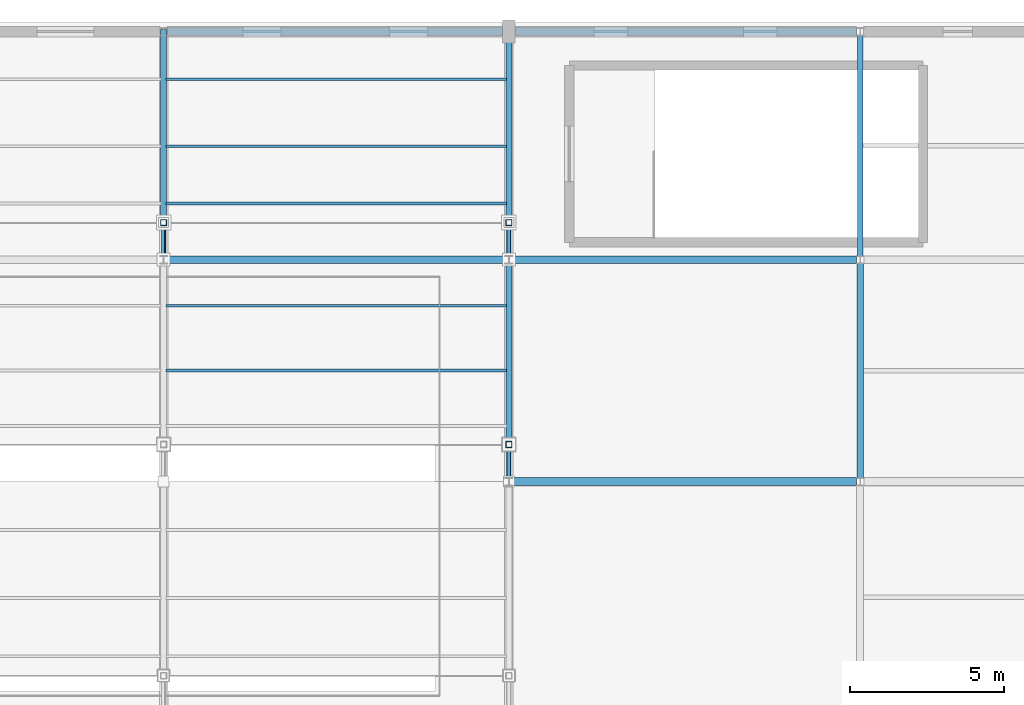
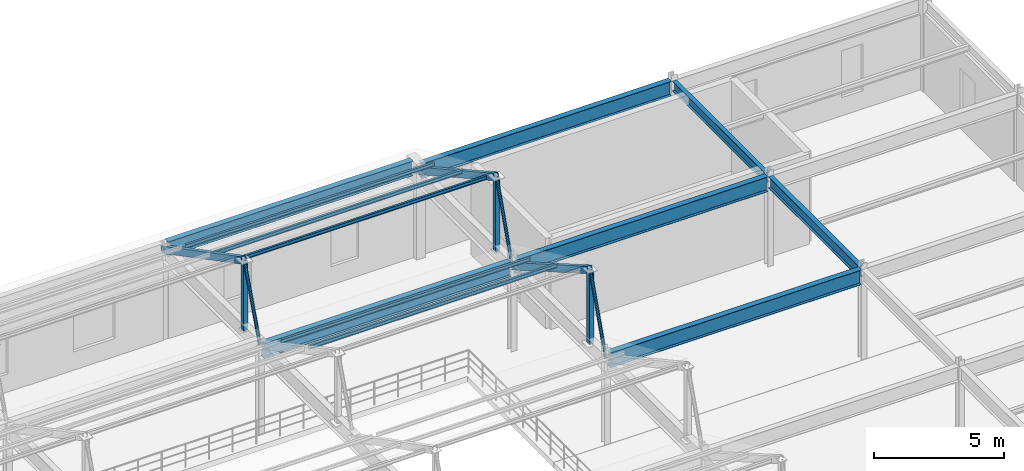
# One storey, part 69 of 112: 14 members, 7 beams.
"""IFC4 building model written with IfcOpenShell, lengths in metres."""

import ifcopenshell
import ifcopenshell.guid

model = None  # the IFC model being written
_history = None  # IfcOwnerHistory: only IFC2X3 demands one
_inside = {}  # id of a spatial element -> (the spatial element, [elements in it])
_under = {}  # id of a project, library or spatial element -> (it, [spatial elements below it])
_declared = {}  # id of a project -> (the project, [libraries it declares])
_typed = {}  # id of a type object -> (the type object, [elements of that type])
_made_of = {}  # id of a material, layer set ... -> (it, [elements and type objects made of it])


def new_model(schema):
    """Start an empty IFC model of exactly this schema.

    Asked for "IFC4X3", IfcOpenShell would pick the latest addendum, in which some entities
    have other attributes; the version numbers below select the first issue.
    IFC2X3 requires an IfcOwnerHistory on every rooted entity: one is made here for all.
    """
    global model, _history
    if schema == "IFC4X3":
        model = ifcopenshell.file(schema_version=(4, 3, 0, 0))
    else:
        model = ifcopenshell.file(schema=schema)
    _inside.clear()
    _under.clear()
    _declared.clear()
    _typed.clear()
    _made_of.clear()
    _history = None
    if model.schema == "IFC2X3":
        org = make("IfcOrganization", Name="unknown")
        user = make(
            "IfcPersonAndOrganization",
            ThePerson=make("IfcPerson", FamilyName="unknown"),
            TheOrganization=org,
        )
        app = make(
            "IfcApplication",
            ApplicationDeveloper=org,
            Version="unknown",
            ApplicationFullName="unknown",
            ApplicationIdentifier="unknown",
        )
        _history = make(
            "IfcOwnerHistory",
            OwningUser=user,
            OwningApplication=app,
            ChangeAction="ADDED",
            CreationDate=0,
        )
    return model


def make(cls, **values):
    """One entity of the class cls with the attributes given. An attribute that is None is left unset."""
    return model.create_entity(
        cls, **{name: value for name, value in values.items() if value is not None}
    )


def rooted(cls, **values):
    """An entity with a GlobalId (a new one), such as an element, a storey or a relation."""
    return make(cls, GlobalId=ifcopenshell.guid.new(), OwnerHistory=_history, **values)


def si_unit(unit_type, name, prefix=None):
    """IfcSIUnit, for example si_unit("LENGTHUNIT", "METRE", prefix="MILLI")."""
    return make("IfcSIUnit", UnitType=unit_type, Prefix=prefix, Name=name)


def assignment(units):
    """IfcUnitAssignment: the units of a project."""
    return None if units is None else make("IfcUnitAssignment", Units=units)


def point(xyz):
    """IfcCartesianPoint."""
    return None if xyz is None else make("IfcCartesianPoint", Coordinates=xyz)


def direction(xyz):
    """IfcDirection."""
    return None if xyz is None else make("IfcDirection", DirectionRatios=xyz)


def frame(location, z_axis=None, x_axis=None):
    """IfcAxis2Placement3D, a coordinate frame: its origin and axes. An axis left out is left unset."""
    return make(
        "IfcAxis2Placement3D",
        Location=point(location),
        Axis=direction(z_axis),
        RefDirection=direction(x_axis),
    )


def frame_2d(location, x_axis=None):
    """IfcAxis2Placement2D, a coordinate frame in the plane: its origin and x axis."""
    return make(
        "IfcAxis2Placement2D", Location=point(location), RefDirection=direction(x_axis)
    )


def origin():
    """The frame at (0, 0, 0) with its axes left unset."""
    return frame((0.0, 0.0, 0.0))


def origin_2d():
    """The frame at (0, 0) in the plane with its x axis left unset."""
    return frame_2d((0.0, 0.0))


def place(relative_to, where):
    """IfcLocalPlacement: puts the frame where relative to a parent placement (None: the world)."""
    return make(
        "IfcLocalPlacement", PlacementRelTo=relative_to, RelativePlacement=where
    )


def context(
    kind, dimensions, precision=None, world=None, true_north=None, identifier=None
):
    """IfcGeometricRepresentationContext, for example the 3D "Model" context."""
    return make(
        "IfcGeometricRepresentationContext",
        ContextIdentifier=identifier,
        ContextType=kind,
        CoordinateSpaceDimension=dimensions,
        Precision=precision,
        WorldCoordinateSystem=world,
        TrueNorth=true_north,
    )


def subcontext(parent, identifier, kind, view, scale=None):
    """IfcGeometricRepresentationSubContext, for example "Body" below "Model"."""
    return make(
        "IfcGeometricRepresentationSubContext",
        ContextIdentifier=identifier,
        ContextType=kind,
        ParentContext=parent,
        TargetScale=scale,
        TargetView=view,
    )


def project(units=None, contexts=None):
    """IfcProject with its units and contexts."""
    return rooted(
        "IfcProject",
        Name="project",
        RepresentationContexts=contexts,
        UnitsInContext=assignment(units),
    )


def spatial(cls, under=None, at=None, **own):
    """A site, building, storey or space (cls), placed at a placement, below another one or the project."""
    s = rooted(cls, ObjectPlacement=at, **own)
    if under is not None:
        _under.setdefault(under.id(), (under, []))[1].append(s)
    return s


def profile(cls, at=None, kind="AREA", **sizes):
    """A parametric profile (cls). Its sizes go by their IFC names, for example OverallWidth=200.0."""
    return make(cls, ProfileType=kind, Position=at, **sizes)


def hollow_rectangle(**sizes):
    """IfcRectangleHollowProfileDef."""
    return profile("IfcRectangleHollowProfileDef", **sizes)


def hollow_circle(**sizes):
    """IfcCircleHollowProfileDef."""
    return profile("IfcCircleHollowProfileDef", **sizes)


def i_section(**sizes):
    """IfcIShapeProfileDef."""
    return profile("IfcIShapeProfileDef", **sizes)


def extrude(swept, where, along, depth):
    """IfcExtrudedAreaSolid: the profile swept, set in the frame where, extruded along a direction by depth."""
    return make(
        "IfcExtrudedAreaSolid",
        SweptArea=swept,
        Position=where,
        ExtrudedDirection=direction(along),
        Depth=depth,
    )


def shape(context_of_items, identifier, shape_type, items):
    """IfcShapeRepresentation: the items that make up one representation, for example the "Body"."""
    return make(
        "IfcShapeRepresentation",
        ContextOfItems=context_of_items,
        RepresentationIdentifier=identifier,
        RepresentationType=shape_type,
        Items=items,
    )


def material(Name=None, Category=None):
    """IfcMaterial."""
    return make("IfcMaterial", Name=Name, Category=Category)


def material_profile(
    of_material, cross_section, Name=None, Category=None, Priority=None
):
    """IfcMaterialProfile: a cross section and its material."""
    return make(
        "IfcMaterialProfile",
        Name=Name,
        Material=of_material,
        Profile=cross_section,
        Priority=Priority,
        Category=Category,
    )


def profile_set(profiles, Name=None, composite=None):
    """IfcMaterialProfileSet."""
    return make(
        "IfcMaterialProfileSet",
        Name=Name,
        MaterialProfiles=profiles,
        CompositeProfile=composite,
    )


def made_of(thing, what):
    """Note that an element or type object is made of a material, layer set ...; save() writes the relation."""
    if what is not None:
        _made_of.setdefault(what.id(), (what, []))[1].append(thing)
    return thing


def type_object(cls, material=None, **own):
    """A type object (cls), such as IfcWallType, which elements share."""
    return made_of(rooted(cls, **own), material)


def element(
    cls,
    number,
    at=None,
    inside=None,
    cuts=None,
    type_object=None,
    material=None,
    context=None,
    identifier="Body",
    shape_type=None,
    held_by="IfcProductDefinitionShape",
    body=None,
    shapes=None,
    **own,
):
    """One element of the class cls, such as IfcWall. Its Tag is "e" and its number.

    at: its placement. inside: the storey or other place that contains it. cuts: it is an
    opening in that element (IfcRelVoidsElement). A single representation is given by context,
    identifier, shape_type and body (its items); several are given by shapes. held_by: the class
    of the entity that holds the representations. save() writes the other relations.
    """
    e = rooted(cls, Tag="e%d" % number, ObjectPlacement=at, **own)
    if body is not None:
        shapes = [shape(context, identifier, shape_type, body)]
    if shapes is not None:
        e.Representation = make(held_by, Representations=shapes)
    if inside is not None:
        _inside.setdefault(inside.id(), (inside, []))[1].append(e)
    if cuts is not None:
        rooted(
            "IfcRelVoidsElement", RelatingBuildingElement=cuts, RelatedOpeningElement=e
        )
    if type_object is not None:
        _typed.setdefault(type_object.id(), (type_object, []))[1].append(e)
    return made_of(e, material)


def aggregate(whole, parts):
    """IfcRelAggregates: a whole, such as a stair, and the parts it consists of."""
    return rooted("IfcRelAggregates", RelatingObject=whole, RelatedObjects=parts)


def save(model, path):
    """Write the relations noted so far, then the file.

    IfcRelAggregates (storeys below a building ...), IfcRelContainedInSpatialStructure (elements
    in a storey), IfcRelDefinesByType, IfcRelAssociatesMaterial and IfcRelDeclares: one each for
    every whole, place, type object, material and project.
    """
    for whole, parts in _under.values():
        aggregate(whole, parts)
    for where, things in _inside.values():
        rooted(
            "IfcRelContainedInSpatialStructure",
            RelatedElements=things,
            RelatingStructure=where,
        )
    for kind, things in _typed.values():
        rooted("IfcRelDefinesByType", RelatedObjects=things, RelatingType=kind)
    for what, things in _made_of.values():
        rooted("IfcRelAssociatesMaterial", RelatedObjects=things, RelatingMaterial=what)
    for by, libraries in _declared.values():
        rooted("IfcRelDeclares", RelatingContext=by, RelatedDefinitions=libraries)
    model.write(path)


model = new_model("IFC4")

# Units and contexts
model_context = context("Model", 3, precision=1e-05, world=origin(), true_north=direction((0.0, 1.0)))
body_context = subcontext(model_context, "Body", "Model", "MODEL_VIEW")
ifc_project = project(units=[si_unit("LENGTHUNIT", "METRE"), si_unit("AREAUNIT", "SQUARE_METRE"), si_unit("VOLUMEUNIT", "CUBIC_METRE"), si_unit("PLANEANGLEUNIT", "RADIAN"), si_unit("MASSUNIT", "GRAM", prefix="KILO")], contexts=[model_context])

# Site, building, storey
site_placement = place(None, origin())
site = spatial("IfcSite", under=ifc_project, at=site_placement, CompositionType="ELEMENT")
building_placement = place(site_placement, origin())
building = spatial("IfcBuilding", under=site, at=building_placement, Name="Cinderbank Siding Concert Hall", CompositionType="ELEMENT")
storey_placement = place(building_placement, frame((0.0, 0.0, 10.199951171875)))
storey = spatial("IfcBuildingStorey", under=building, at=storey_placement, Name="L03", CompositionType="ELEMENT", Elevation=10.199951171875)

# Beams
ifc_material_1 = material(Name="Structural steel AS/NZS 3679.1 Grade 350 (340 MPa)", Category="steel")
ifc_material_profile_1 = material_profile(ifc_material_1, i_section(OverallWidth=0.18994140625, OverallDepth=0.45751953125, WebThickness=0.009033203125, FlangeThickness=0.014404296875, at=origin_2d()), Name="460UB74.6", Category="LoadBearing")
ifc_profile_set_1 = profile_set([ifc_material_profile_1], Name="Structural steel AS/NZS 3679.1 Grade 350 (340 MPa)")
beam_type_1 = type_object("IfcBeamType", Name="BM-UB460 460UB74.6", PredefinedType="BEAM", material=ifc_profile_set_1)
beam_1_placement = place(storey_placement, frame((161.800048828125, 110.6201171875, 4.00341796875), z_axis=(0.0, 1.0, 0.0), x_axis=(-1.0, 0.0, 0.0)))
element("IfcBeam", 1, at=beam_1_placement, inside=storey, type_object=beam_type_1, Name="L03 Beam BM-UB460 #1754", PredefinedType="BEAM", context=body_context, shape_type="SweptSolid", body=[
    extrude(i_section(OverallWidth=0.18994140625, OverallDepth=0.45751953125, WebThickness=0.009033203125, FlangeThickness=0.014404296875, at=origin_2d()), origin(), (0.0, 0.0, 1.0), 7.159912109375),
])
ifc_material_profile_2 = material_profile(ifc_material_1, i_section(OverallWidth=0.208984375, OverallDepth=0.5283203125, WebThickness=0.009521484375, FlangeThickness=0.01318359375, at=origin_2d()), Name="530UB82.0", Category="LoadBearing")
ifc_profile_set_2 = profile_set([ifc_material_profile_2], Name="Structural steel AS/NZS 3679.1 Grade 350 (340 MPa)")
beam_type_2 = type_object("IfcBeamType", Name="BM-UB530 530UB82.0", PredefinedType="BEAM", material=ifc_profile_set_2)
beam_2_placement = place(storey_placement, frame((161.800048828125, 103.419921875, 3.968017578125), z_axis=(0.0, 1.0, 0.0), x_axis=(-1.0, 0.0, 0.0)))
element("IfcBeam", 2, at=beam_2_placement, inside=storey, type_object=beam_type_2, Name="L03 Beam BM-UB530 #1752", PredefinedType="BEAM", context=body_context, shape_type="SweptSolid", body=[
    extrude(i_section(OverallWidth=0.208984375, OverallDepth=0.5283203125, WebThickness=0.009521484375, FlangeThickness=0.01318359375, at=origin_2d()), origin(), (0.0, 0.0, 1.0), 6.9599609375),
])
ifc_material_2 = material(Name="Structural steel welded plate section AS/NZS 3679.2 / AS/NZS 3678 Grade 350 (340 MPa)", Category="steel")
ifc_material_profile_3 = material_profile(ifc_material_2, i_section(OverallWidth=0.25, OverallDepth=0.699951171875, WebThickness=0.010009765625, FlangeThickness=0.01611328125, at=origin_2d()), Name="700WB130", Category="LoadBearing")
ifc_profile_set_3 = profile_set([ifc_material_profile_3], Name="Structural steel welded plate section AS/NZS 3679.2 / AS/NZS 3678 Grade 350 (340 MPa)")
beam_type_3 = type_object("IfcBeamType", Name="BM-WB700 700WB130", PredefinedType="BEAM", material=ifc_profile_set_3)
beam_3_placement = place(storey_placement, frame((139.320068359375, 110.5, 3.882080078125), z_axis=(1.0, 0.0, 0.0), x_axis=(0.0, 1.0, 0.0)))
element("IfcBeam", 3, at=beam_3_placement, inside=storey, type_object=beam_type_3, Name="L03 Beam BM-WB700 #1740", PredefinedType="BEAM", context=body_context, shape_type="SweptSolid", body=[
    extrude(i_section(OverallWidth=0.25, OverallDepth=0.699951171875, WebThickness=0.010009765625, FlangeThickness=0.01611328125, at=origin_2d()), origin(), (0.0, 0.0, 1.0), 10.9599609375),
])
beam_4_placement = place(storey_placement, frame((139.320068359375, 117.89990234375, 4.162109375), z_axis=(1.0, 0.0, 0.0), x_axis=(0.0, 1.0, 0.0)))
element("IfcBeam", 4, at=beam_4_placement, inside=storey, type_object=beam_type_3, Name="L03 Beam BM-WB700 #1741", PredefinedType="BEAM", context=body_context, shape_type="SweptSolid", body=[
    extrude(i_section(OverallWidth=0.25, OverallDepth=0.699951171875, WebThickness=0.010009765625, FlangeThickness=0.01611328125, at=origin_2d()), origin(), (0.0, 0.0, 1.0), 10.887939453125),
])
for number, where, z_axis, x_axis, name in (
    (5, (150.52001953125, 103.300048828125, 3.882080078125), (1.0, 0.0, 0.0), (0.0, 1.0, 0.0), "L03 Beam BM-WB700 #1744"),
    (6, (150.52001953125, 110.5, 3.882080078125), (1.0, 0.0, 0.0), (0.0, 1.0, 0.0), "L03 Beam BM-WB700 #1745"),
):
    element("IfcBeam", number, at=place(storey_placement, frame(where, z_axis=z_axis, x_axis=x_axis)), inside=storey, type_object=beam_type_3, Name=name, PredefinedType="BEAM", context=body_context, shape_type="SweptSolid", body=[
        extrude(i_section(OverallWidth=0.25, OverallDepth=0.699951171875, WebThickness=0.010009765625, FlangeThickness=0.01611328125, at=origin_2d()), origin(), (0.0, 0.0, 1.0), 11.159912109375),
    ])
beam_5_placement = place(storey_placement, frame((150.592041015625, 117.89990234375, 3.882080078125), z_axis=(1.0, 0.0, 0.0), x_axis=(0.0, 1.0, 0.0)))
element("IfcBeam", 7, at=beam_5_placement, inside=storey, type_object=beam_type_3, Name="L03 Beam BM-WB700 #1746", PredefinedType="BEAM", context=body_context, shape_type="SweptSolid", body=[
    extrude(i_section(OverallWidth=0.25, OverallDepth=0.699951171875, WebThickness=0.010009765625, FlangeThickness=0.01611328125, at=origin_2d()), origin(), (0.0, 0.0, 1.0), 11.087890625),
])

# Members
ifc_material_3 = material(Name="Structural steel hollow section AS/NZS 1163 Grade C350L0 (350 MPa)", Category="steel")
ifc_material_profile_4 = material_profile(ifc_material_3, hollow_circle(Radius=0.06982421875, WallThickness=0.00634765625, at=origin_2d()), Name="139.7x6.4CHS", Category="LoadBearing")
ifc_profile_set_4 = profile_set([ifc_material_profile_4], Name="Structural steel hollow section AS/NZS 1163 Grade C350L0 (350 MPa)")
member_type_1 = type_object("IfcMemberType", Name="BR-CHS139 139.7x6.4CHS Roof Truss", PredefinedType="BRACE", material=ifc_profile_set_4)
member_1_placement = place(storey_placement, frame((139.199951171875, 110.5, 4.150146484375), z_axis=(0.0, 0.346361679598, 0.938101053675), x_axis=(-1.0, 0.0, 0.0)))
element("IfcMember", 8, at=member_1_placement, inside=storey, type_object=member_type_1, Name="L03 Diagonal Brace BR-CHS139 #V3DG-BR-CHS139-L03-2473", PredefinedType="BRACE", context=body_context, shape_type="SweptSolid", body=[
    extrude(hollow_circle(Radius=0.06982421875, WallThickness=0.00634765625, at=origin_2d()), origin(), (0.0, 0.0, 1.0), 3.46435546875),
])
for number, where, z_axis, x_axis, name in (
    (9, (150.39990234375, 103.300048828125, 3.949951171875), (0.0, 0.328492110194, 0.944506714397), (-1.0, 0.0, 0.0), "L03 Diagonal Brace BR-CHS139 #V3DG-BR-CHS139-L03-2482"),
    (10, (150.39990234375, 110.5, 3.949951171875), (0.0, 0.328492110194, 0.944506714397), (-1.0, 0.0, 0.0), "L03 Diagonal Brace BR-CHS139 #V3DG-BR-CHS139-L03-2485"),
):
    element("IfcMember", number, at=place(storey_placement, frame(where, z_axis=z_axis, x_axis=x_axis)), inside=storey, type_object=member_type_1, Name=name, PredefinedType="BRACE", context=body_context, shape_type="SweptSolid", body=[
        extrude(hollow_circle(Radius=0.06982421875, WallThickness=0.00634765625, at=origin_2d()), origin(), (0.0, 0.0, 1.0), 3.65283203125),
    ])
ifc_material_profile_5 = material_profile(ifc_material_3, hollow_rectangle(XDim=0.199951171875, YDim=0.199951171875, WallThickness=0.009033203125, at=origin_2d()), Name="200x200x9.0SHS", Category="LoadBearing")
ifc_profile_set_5 = profile_set([ifc_material_profile_5], Name="Structural steel hollow section AS/NZS 1163 Grade C350L0 (350 MPa)")
member_type_2 = type_object("IfcMemberType", Name="BR-SHS200 200x200x9.0SHS Roof Truss", PredefinedType="BRACE", material=ifc_profile_set_5)
member_2_placement = place(storey_placement, frame((139.199951171875, 111.699951171875, 4.150146484375), z_axis=(0.0, 0.0, 1.0), x_axis=(1.0, 0.0, 0.0)))
element("IfcMember", 11, at=member_2_placement, inside=storey, type_object=member_type_2, Name="L03 Diagonal Brace BR-SHS200 #V3ST-BR-SHS200-L03-2472", PredefinedType="BRACE", context=body_context, shape_type="SweptSolid", body=[
    extrude(hollow_rectangle(XDim=0.199951171875, YDim=0.199951171875, WallThickness=0.009033203125, at=origin_2d()), origin(), (0.0, 0.0, 1.0), 3.25),
])
for number, where, z_axis, x_axis, name in (
    (12, (150.39990234375, 104.5, 3.949951171875), (0.0, 0.0, 1.0), (1.0, 0.0, 0.0), "L03 Diagonal Brace BR-SHS200 #V3ST-BR-SHS200-L03-2481"),
    (13, (150.39990234375, 111.699951171875, 3.949951171875), (0.0, 0.0, 1.0), (1.0, 0.0, 0.0), "L03 Diagonal Brace BR-SHS200 #V3ST-BR-SHS200-L03-2484"),
):
    element("IfcMember", number, at=place(storey_placement, frame(where, z_axis=z_axis, x_axis=x_axis)), inside=storey, type_object=member_type_2, Name=name, PredefinedType="BRACE", context=body_context, shape_type="SweptSolid", body=[
        extrude(hollow_rectangle(XDim=0.199951171875, YDim=0.199951171875, WallThickness=0.009033203125, at=origin_2d()), origin(), (0.0, 0.0, 1.0), 3.4501953125),
    ])
ifc_material_profile_6 = material_profile(ifc_material_1, i_section(OverallWidth=0.090087890625, OverallDepth=0.175048828125, WebThickness=0.0048828125, FlangeThickness=0.008056640625, at=origin_2d()), Name="180UB18.1", Category="LoadBearing")
ifc_profile_set_6 = profile_set([ifc_material_profile_6], Name="Structural steel AS/NZS 3679.1 Grade 350 (340 MPa)")
member_type_3 = type_object("IfcMemberType", Name="PR-UB180 180UB18.1 Roof Truss", PredefinedType="PURLIN", material=ifc_profile_set_6)
for number, where, z_axis, x_axis, name in (
    (14, (139.280029296875, 109.0, 5.199951171875), (1.0, 0.0, 0.0), (0.0, 1.0, 0.0), "L03 Roof Truss Member PR-UB180 #2516"),
    (15, (139.280029296875, 106.89990234375, 6.179931640625), (1.0, 0.0, 0.0), (0.0, 1.0, 0.0), "L03 Roof Truss Member PR-UB180 #2517"),
    (16, (139.280029296875, 116.35009765625, 5.199951171875), (1.0, 0.0, 0.0), (0.0, 1.0, 0.0), "L03 Roof Truss Member PR-UB180 #2519"),
    (17, (139.280029296875, 114.179931640625, 6.179931640625), (1.0, 0.0, 0.0), (0.0, 1.0, 0.0), "L03 Roof Truss Member PR-UB180 #2520"),
    (18, (139.280029296875, 112.320068359375, 7.02001953125), (1.0, 0.0, 0.0), (0.0, 1.0, 0.0), "L03 Roof Truss Member PR-UB180 #2521"),
):
    element("IfcMember", number, at=place(storey_placement, frame(where, z_axis=z_axis, x_axis=x_axis)), inside=storey, type_object=member_type_3, Name=name, PredefinedType="PURLIN", context=body_context, shape_type="SweptSolid", body=[
        extrude(i_section(OverallWidth=0.090087890625, OverallDepth=0.175048828125, WebThickness=0.0048828125, FlangeThickness=0.008056640625, at=origin_2d()), origin(), (0.0, 0.0, 1.0), 11.0400390625),
    ])
ifc_material_profile_7 = material_profile(ifc_material_3, hollow_rectangle(XDim=0.199951171875, YDim=0.300048828125, WallThickness=0.010009765625, at=origin_2d()), Name="300x200x10.0RHS", Category="LoadBearing")
ifc_profile_set_7 = profile_set([ifc_material_profile_7], Name="Structural steel hollow section AS/NZS 1163 Grade C350L0 (350 MPa)")
member_type_4 = type_object("IfcMemberType", Name="TR-RHS300 300x200x10.0RHS Roof Truss", PredefinedType="RAFTER", material=ifc_profile_set_7)
member_3_placement = place(storey_placement, frame((139.199951171875, 117.89990234375, 4.150146484375), z_axis=(0.0, -0.885690188292, 0.464276738986), x_axis=(1.0, 0.0, 0.0)))
element("IfcMember", 19, at=member_3_placement, inside=storey, type_object=member_type_4, Name="L03 Roof Truss Member TR-RHS300 #2471", PredefinedType="RAFTER", context=body_context, shape_type="SweptSolid", body=[
    extrude(hollow_rectangle(XDim=0.199951171875, YDim=0.300048828125, WallThickness=0.010009765625, at=origin_2d()), origin(), (0.0, 0.0, 1.0), 7.000244140625),
])
member_4_placement = place(storey_placement, frame((150.39990234375, 110.5, 3.949951171875), z_axis=(0.0, -0.866894108494, 0.498492331594), x_axis=(1.0, 0.0, 0.0)))
element("IfcMember", 20, at=member_4_placement, inside=storey, type_object=member_type_4, Name="L03 Roof Truss Member TR-RHS300 #2480", PredefinedType="RAFTER", context=body_context, shape_type="SweptSolid", body=[
    extrude(hollow_rectangle(XDim=0.199951171875, YDim=0.300048828125, WallThickness=0.010009765625, at=origin_2d()), origin(), (0.0, 0.0, 1.0), 6.921142578125),
])
member_5_placement = place(storey_placement, frame((150.39990234375, 117.89990234375, 3.949951171875), z_axis=(0.0, -0.873811343628, 0.486265087937), x_axis=(1.0, 0.0, 0.0)))
element("IfcMember", 21, at=member_5_placement, inside=storey, type_object=member_type_4, Name="L03 Roof Truss Member TR-RHS300 #2483", PredefinedType="RAFTER", context=body_context, shape_type="SweptSolid", body=[
    extrude(hollow_rectangle(XDim=0.199951171875, YDim=0.300048828125, WallThickness=0.010009765625, at=origin_2d()), origin(), (0.0, 0.0, 1.0), 7.09521484375),
])

save(model, "model.ifc")
